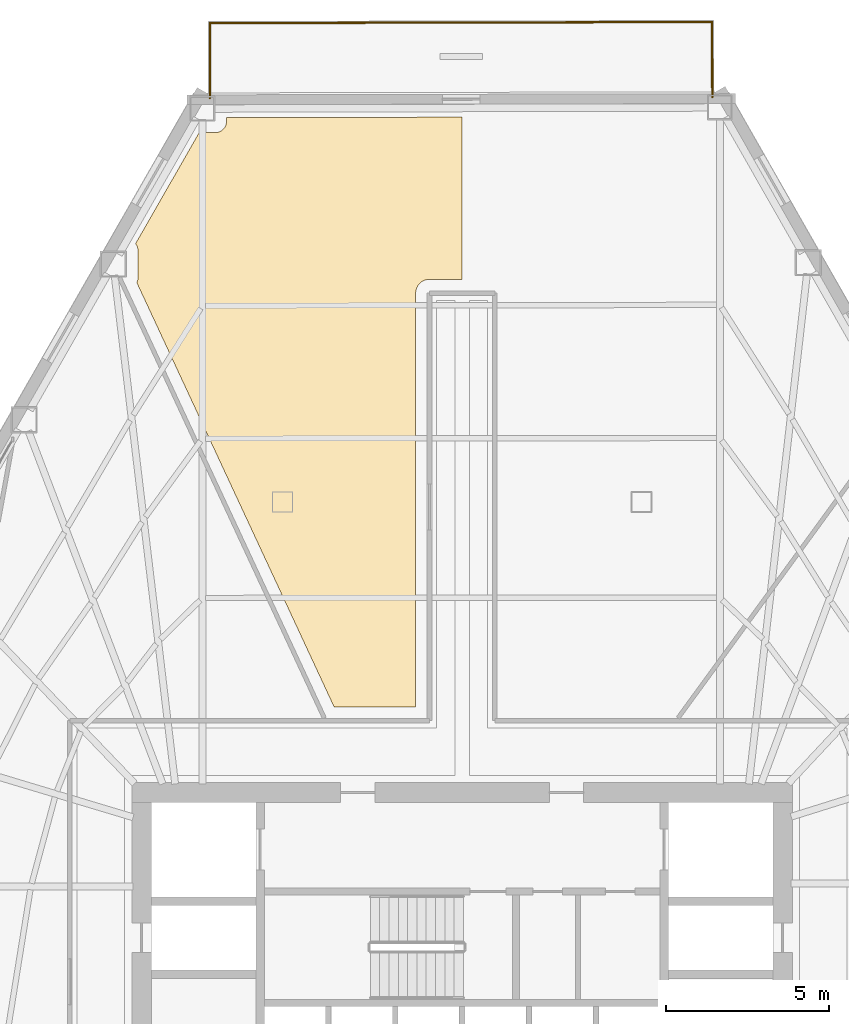
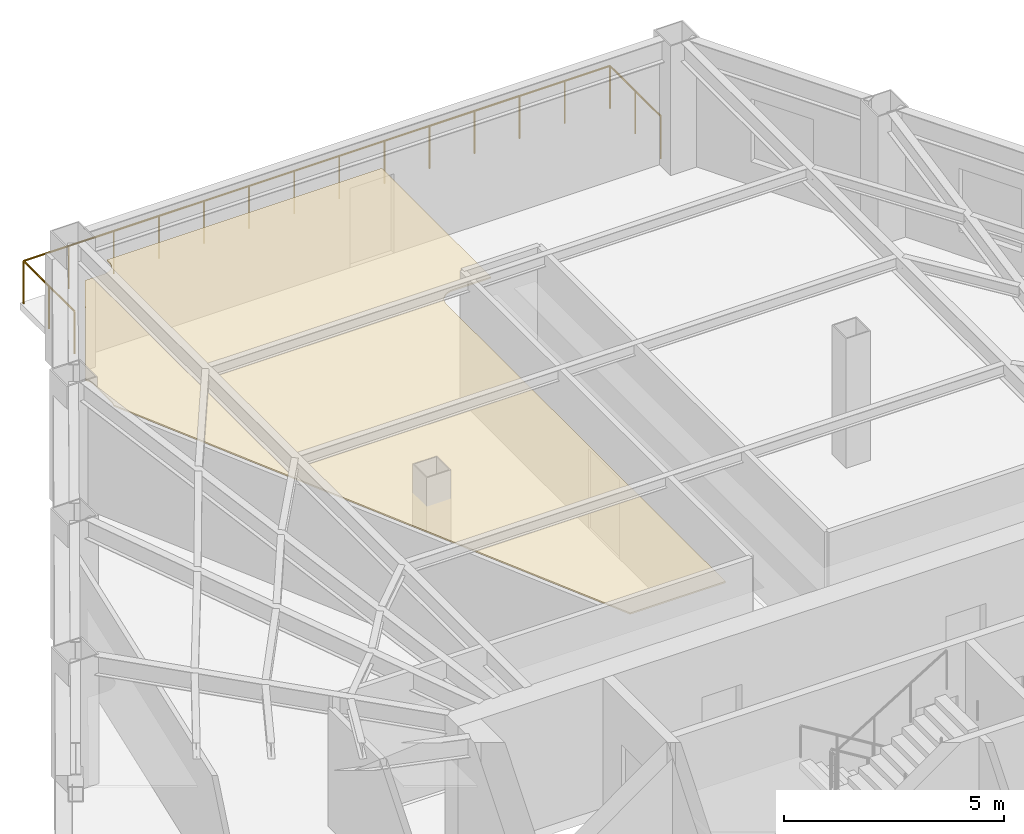
# One storey, part 14 of 14: 3 railings, 1 covering.
"""IFC4 building model written with IfcOpenShell, lengths in metres."""

from ifc_helpers import new_model, si_unit, direction, frame, origin, origin_2d, place, context, subcontext, project, spatial, polyline, circle, outline, extrude, material, layer, layer_set, type_object, element, save


model = new_model("IFC4")

# Units and contexts
model_context = context("Model", 3, precision=1e-05, world=origin(), true_north=direction((0.0, 1.0)))
body_context = subcontext(model_context, "Body", "Model", "MODEL_VIEW")
ifc_project = project(units=[si_unit("LENGTHUNIT", "METRE"), si_unit("AREAUNIT", "SQUARE_METRE"), si_unit("VOLUMEUNIT", "CUBIC_METRE"), si_unit("PLANEANGLEUNIT", "RADIAN"), si_unit("MASSUNIT", "GRAM", prefix="KILO")], contexts=[model_context])

# Site, building, storey
site_placement = place(None, origin())
site = spatial("IfcSite", under=ifc_project, at=site_placement, CompositionType="ELEMENT")
building_placement = place(site_placement, origin())
building = spatial("IfcBuilding", under=site, at=building_placement, Name="Kavelnor Concourse Tower", CompositionType="ELEMENT")
storey_placement = place(building_placement, frame((0.0, 0.0, 17.550048828125)))
storey = spatial("IfcBuildingStorey", under=building, at=storey_placement, Name="L04", CompositionType="ELEMENT", Elevation=17.550048828125)

# Covering
ifc_material_1 = material(Name="Mineral fibre acoustic ceiling tile")
ifc_layer = layer(ifc_material_1, 0.0400390625, Name="Mineral fibre acoustic ceiling tile")
ifc_layer_set = layer_set([ifc_layer], Name="Mineral fibre acoustic ceiling tile")
covering_type = type_object("IfcCoveringType", Name="COV-CEILING-ACOUSTIC", PredefinedType="CEILING", material=ifc_layer_set)
covering_placement = place(storey_placement, frame((0.0, 0.0, 2.75)))
element("IfcCovering", 1, at=covering_placement, inside=storey, type_object=covering_type, Name="L04 Suspended Acoustic Ceiling", PredefinedType="CEILING", context=body_context, shape_type="SweptSolid", body=[
    extrude(outline(polyline([(30.45703125, 43.11669921875), (30.4921875, 43.121826171875), (30.5263671875, 43.130615234375), (30.559814453125, 43.142333984375), (30.591796875, 43.157470703125), (30.6220703125, 43.17578125), (30.650390625, 43.19677734375), (30.676513671875, 43.220703125), (30.700439453125, 43.246826171875), (30.721435546875, 43.275146484375), (30.73974609375, 43.305419921875), (30.7548828125, 43.33740234375), (30.7666015625, 43.370849609375), (30.775390625, 43.405029296875), (30.780517578125, 43.440185546875), (30.78173828125, 43.467041015625), (30.78173828125, 43.576904296875), (37.9951171875, 43.5927734375), (37.9951171875, 38.62255859375), (36.99169921875, 38.62255859375), (36.95849609375, 38.620849609375), (36.91748046875, 38.61474609375), (36.877197265625, 38.604736328125), (36.838134765625, 38.5908203125), (36.800537109375, 38.572998046875), (36.764892578125, 38.551513671875), (36.731689453125, 38.52685546875), (36.700927734375, 38.4990234375), (36.673095703125, 38.46826171875), (36.6484375, 38.43505859375), (36.626953125, 38.3994140625), (36.609375, 38.36181640625), (36.59521484375, 38.32275390625), (36.585205078125, 38.282470703125), (36.5791015625, 38.241455078125), (36.577392578125, 38.208251953125), (36.577392578125, 25.5224609375), (34.076416015625, 25.5224609375), (28.03125, 38.523193359375), (28.0439453125, 38.550048828125), (28.055908203125, 38.583251953125), (28.064453125, 38.61767578125), (28.069580078125, 38.652587890625), (28.071044921875, 38.6796875), (28.071044921875, 39.49609375), (28.069580078125, 39.523193359375), (28.064453125, 39.55810546875), (28.055908203125, 39.592529296875), (28.0439453125, 39.625732421875), (28.02880859375, 39.65771484375), (28.0107421875, 39.68798828125), (27.991943359375, 39.71337890625), (29.940673828125, 43.115478515625), (30.43017578125, 43.115478515625), (30.45703125, 43.11669921875)])), origin(), (0.0, 0.0, 1.0), 0.0400390625),
])

# Railings
ifc_material_2 = material(Name="Architectural bronze-anodised aluminium", Category="aluminium")
railing_type = type_object("IfcRailingType", Name="RLG-TERRACE-1200", PredefinedType="BALUSTRADE", material=ifc_material_2)
railing_1_placement = place(storey_placement, frame((45.665283203125, 44.20947265625, 0.0)))
element("IfcRailing", 2, at=railing_1_placement, inside=storey, type_object=railing_type, Name="L04 Spiral Terrace Guardrail L", PredefinedType="BALUSTRADE", context=body_context, shape_type="SweptSolid", body=[
    extrude(circle(Radius=0.02392578125, at=origin_2d()), frame((0.0, 0.0, 1.17578125), z_axis=(-0.002122912104, 0.99999774662, 0.0), x_axis=(-0.99999774662, -0.002122912104, 0.0)), (0.0, 0.0, 1.0), 2.300048828125),
    extrude(circle(Radius=0.02099609375, at=origin_2d()), origin(), (0.0, 0.0, 1.0), 1.15185546875),
    extrude(circle(Radius=0.02099609375, at=origin_2d()), frame((-0.00244140625, 1.14990234375, 0.0)), (0.0, 0.0, 1.0), 1.15185546875),
    extrude(circle(Radius=0.02099609375, at=origin_2d()), frame((-0.0048828125, 2.300048828125, 0.0)), (0.0, 0.0, 1.0), 1.15185546875),
])
railing_2_placement = place(storey_placement, frame((45.660400390625, 46.509521484375, 0.0)))
element("IfcRailing", 3, at=railing_2_placement, inside=storey, type_object=railing_type, Name="L04 Spiral Terrace Guardrail F", PredefinedType="BALUSTRADE", context=body_context, shape_type="SweptSolid", body=[
    extrude(circle(Radius=0.02392578125, at=origin_2d()), frame((0.0, 0.0, 1.17578125), z_axis=(-0.999997604339, -0.002188907438, 0.0), x_axis=(0.002188907438, -0.999997604339, 0.0)), (0.0, 0.0, 1.0), 15.391845703125),
    extrude(circle(Radius=0.02099609375, at=origin_2d()), origin(), (0.0, 0.0, 1.0), 1.15185546875),
    extrude(circle(Radius=0.02099609375, at=origin_2d()), frame((-1.18408203125, -0.002685546875, 0.0)), (0.0, 0.0, 1.0), 1.15185546875),
    extrude(circle(Radius=0.02099609375, at=origin_2d()), frame((-2.367919921875, -0.005126953125, 0.0)), (0.0, 0.0, 1.0), 1.15185546875),
    extrude(circle(Radius=0.02099609375, at=origin_2d()), frame((-3.552001953125, -0.0078125, 0.0)), (0.0, 0.0, 1.0), 1.15185546875),
    extrude(circle(Radius=0.02099609375, at=origin_2d()), frame((-4.73583984375, -0.01025390625, 0.0)), (0.0, 0.0, 1.0), 1.15185546875),
    extrude(circle(Radius=0.02099609375, at=origin_2d()), frame((-5.919921875, -0.012939453125, 0.0)), (0.0, 0.0, 1.0), 1.15185546875),
    extrude(circle(Radius=0.02099609375, at=origin_2d()), frame((-7.10400390625, -0.015625, 0.0)), (0.0, 0.0, 1.0), 1.15185546875),
    extrude(circle(Radius=0.02099609375, at=origin_2d()), frame((-8.287841796875, -0.01806640625, 0.0)), (0.0, 0.0, 1.0), 1.15185546875),
    extrude(circle(Radius=0.02099609375, at=origin_2d()), frame((-9.471923828125, -0.020751953125, 0.0)), (0.0, 0.0, 1.0), 1.15185546875),
    extrude(circle(Radius=0.02099609375, at=origin_2d()), frame((-10.656005859375, -0.0234375, 0.0)), (0.0, 0.0, 1.0), 1.15185546875),
    extrude(circle(Radius=0.02099609375, at=origin_2d()), frame((-11.83984375, -0.02587890625, 0.0)), (0.0, 0.0, 1.0), 1.15185546875),
    extrude(circle(Radius=0.02099609375, at=origin_2d()), frame((-13.02392578125, -0.028564453125, 0.0)), (0.0, 0.0, 1.0), 1.15185546875),
    extrude(circle(Radius=0.02099609375, at=origin_2d()), frame((-14.207763671875, -0.031005859375, 0.0)), (0.0, 0.0, 1.0), 1.15185546875),
    extrude(circle(Radius=0.02099609375, at=origin_2d()), frame((-15.391845703125, -0.03369140625, 0.0)), (0.0, 0.0, 1.0), 1.15185546875),
])
railing_3_placement = place(storey_placement, frame((30.2685546875, 46.475830078125, 0.0)))
element("IfcRailing", 4, at=railing_3_placement, inside=storey, type_object=railing_type, Name="L04 Spiral Terrace Guardrail R", PredefinedType="BALUSTRADE", context=body_context, shape_type="SweptSolid", body=[
    extrude(circle(Radius=0.02392578125, at=origin_2d()), frame((0.0, 0.0, 1.17578125), z_axis=(0.002122912104, -0.99999774662, 0.0), x_axis=(0.99999774662, 0.002122912104, 0.0)), (0.0, 0.0, 1.0), 2.300048828125),
    extrude(circle(Radius=0.02099609375, at=origin_2d()), origin(), (0.0, 0.0, 1.0), 1.15185546875),
    extrude(circle(Radius=0.02099609375, at=origin_2d()), frame((0.00244140625, -1.14990234375, 0.0)), (0.0, 0.0, 1.0), 1.15185546875),
    extrude(circle(Radius=0.02099609375, at=origin_2d()), frame((0.0048828125, -2.300048828125, 0.0)), (0.0, 0.0, 1.0), 1.15185546875),
])

save(model, "model.ifc")
